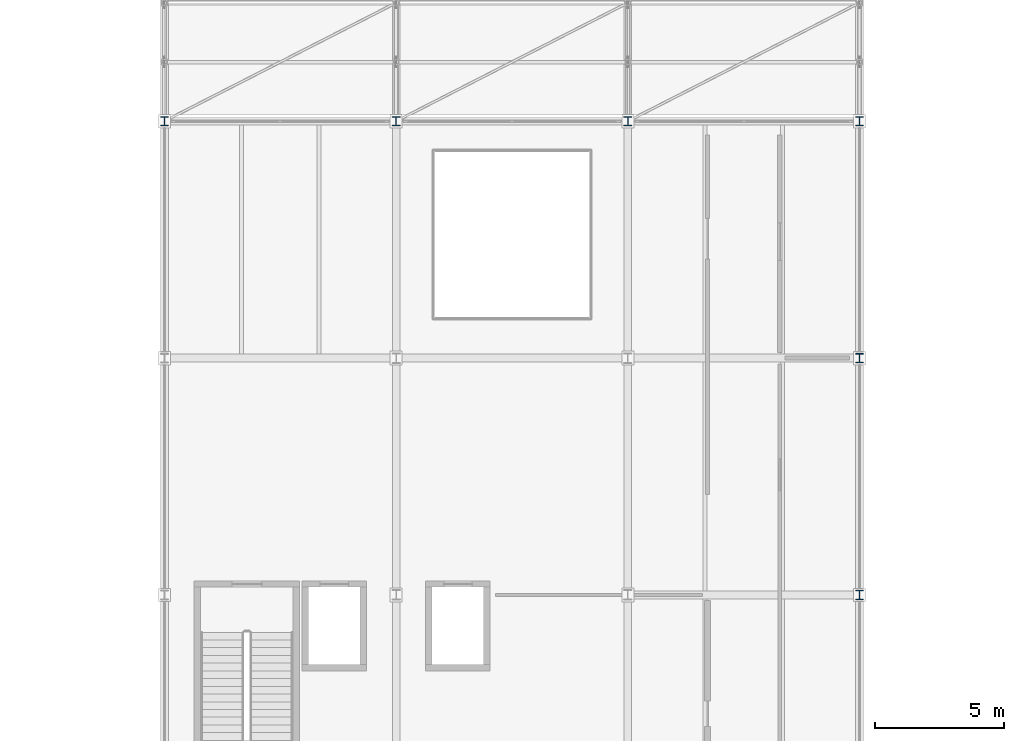
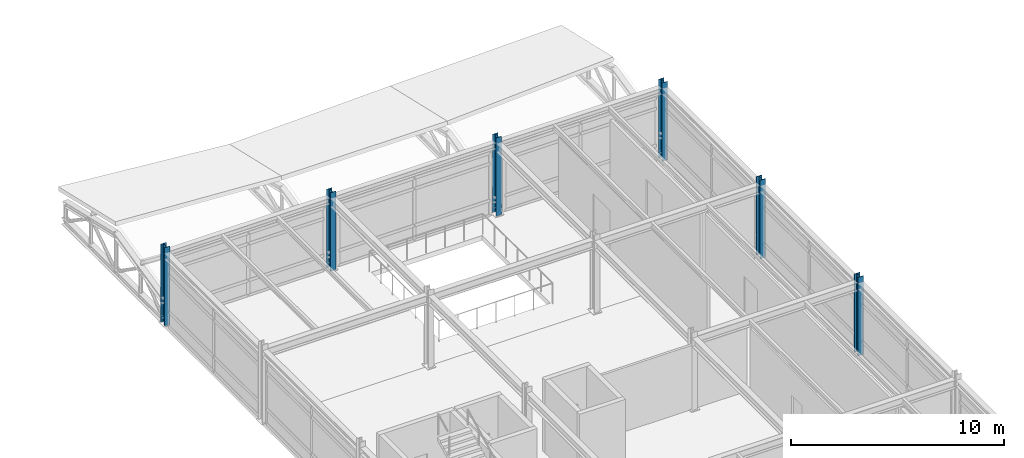
# One storey, part 3 of 55: 6 columns.
"""IFC4 building model written with IfcOpenShell, lengths in metres."""

from ifc_helpers import new_model, si_unit, direction, frame, origin, origin_2d, place, context, subcontext, project, spatial, i_section, extrude, material, material_profile, profile_set, type_object, element, save


model = new_model("IFC4")

# Units and contexts
model_context = context("Model", 3, precision=1e-05, world=origin(), true_north=direction((0.0, 1.0)))
body_context = subcontext(model_context, "Body", "Model", "MODEL_VIEW")
ifc_project = project(units=[si_unit("LENGTHUNIT", "METRE"), si_unit("AREAUNIT", "SQUARE_METRE"), si_unit("VOLUMEUNIT", "CUBIC_METRE"), si_unit("PLANEANGLEUNIT", "RADIAN"), si_unit("MASSUNIT", "GRAM", prefix="KILO")], contexts=[model_context])

# Site, building, storey
site_placement = place(None, origin())
site = spatial("IfcSite", under=ifc_project, at=site_placement, CompositionType="ELEMENT")
building_placement = place(site_placement, origin())
building = spatial("IfcBuilding", under=site, at=building_placement, Name="Bozkorgan Art Gallery", CompositionType="ELEMENT")
storey_placement = place(building_placement, frame((0.0, 0.0, 15.0)))
storey = spatial("IfcBuildingStorey", under=building, at=storey_placement, Name="L03", CompositionType="ELEMENT", Elevation=15.0)

# Columns
ifc_material = material(Name="Steel S355J2", Category="steel")
ifc_material_profile = material_profile(ifc_material, i_section(OverallWidth=0.300048828125, OverallDepth=0.360107421875, WebThickness=0.012451171875, FlangeThickness=0.0224609375, FilletRadius=0.027099609375, at=origin_2d()), Name="HEB 360")
ifc_profile_set = profile_set([ifc_material_profile], Name="Steel S355J2")
column_type = type_object("IfcColumnType", Name="COLUMN-C-25", PredefinedType="COLUMN", material=ifc_profile_set)
for number, where, z_axis, x_axis, name in (
    (1, (74.0, 84.39990234375, 0.0), (0.0, 0.0, 1.0), (1.0, 0.0, 0.0), "V4 L03 column (74.0, 84.4)"),
    (2, (83.0, 84.39990234375, 0.0), (0.0, 0.0, 1.0), (1.0, 0.0, 0.0), "V4 L03 column (83.0, 84.4)"),
    (3, (92.0, 84.39990234375, 0.0), (0.0, 0.0, 1.0), (1.0, 0.0, 0.0), "V4 L03 column (92.0, 84.4)"),
    (4, (101.0, 66.0, 0.0), (0.0, 0.0, 1.0), (1.0, 0.0, 0.0), "V4 L03 column (101.0, 66.0)"),
    (5, (101.0, 75.199951171875, 0.0), (0.0, 0.0, 1.0), (1.0, 0.0, 0.0), "V4 L03 column (101.0, 75.2)"),
    (6, (101.0, 84.39990234375, 0.0), (0.0, 0.0, 1.0), (1.0, 0.0, 0.0), "V4 L03 column (101.0, 84.4)"),
):
    element("IfcColumn", number, at=place(storey_placement, frame(where, z_axis=z_axis, x_axis=x_axis)), inside=storey, type_object=column_type, Name=name, PredefinedType="COLUMN", context=body_context, shape_type="SweptSolid", body=[
        extrude(i_section(OverallWidth=0.300048828125, OverallDepth=0.360107421875, WebThickness=0.012451171875, FlangeThickness=0.0224609375, FilletRadius=0.027099609375, at=origin_2d()), origin(), (0.0, 0.0, 1.0), 4.5),
    ])

save(model, "model.ifc")
